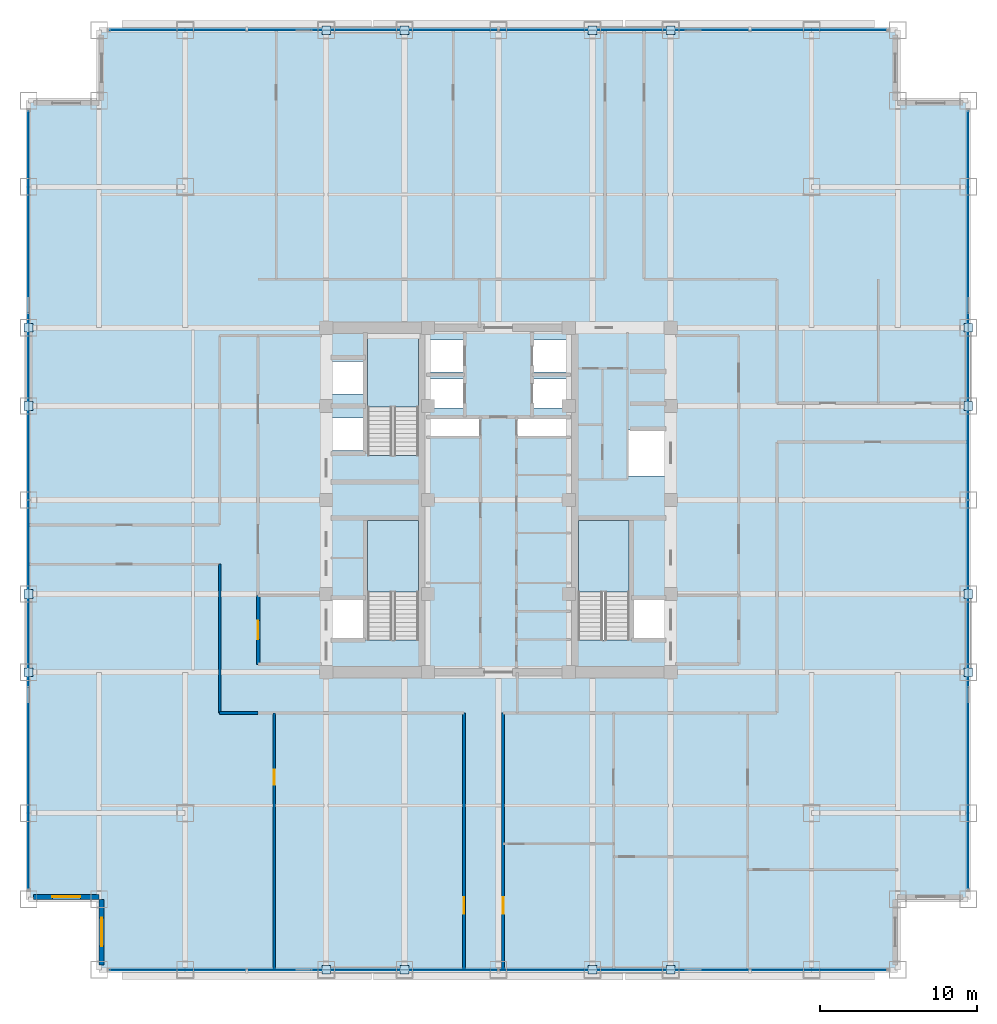
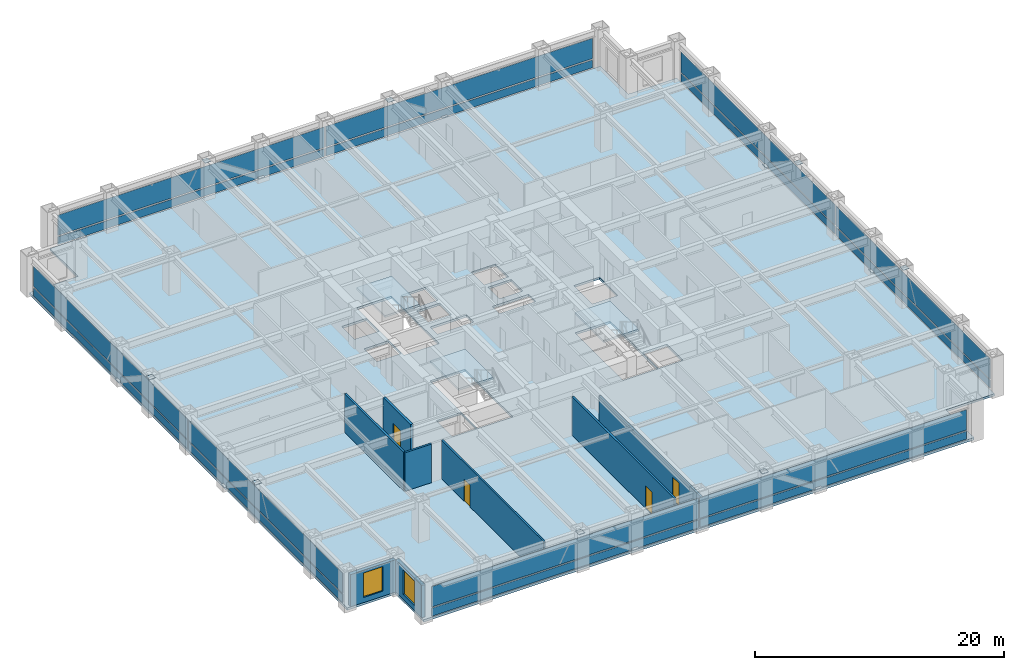
# One storey, part 19 of 28: 32 plates, 8 walls, 4 doors, 4 slabs, 2 windows, 6 openings, 7 elements without a shape of their own.
"""IFC4 building model written with IfcOpenShell, lengths in metres."""

from ifc_helpers import new_model, si_unit, direction, frame, frame_2d, origin, origin_2d, place, context, subcontext, project, spatial, polyline, rectangle, outline, extrude, source, transform, mapped, material, layer, layer_set, type_object, element, fill, aggregate, save


model = new_model("IFC4")

# Units and contexts
model_context = context("Model", 3, precision=1e-05, world=origin(), true_north=direction((0.0, 1.0)))
body_context = subcontext(model_context, "Body", "Model", "MODEL_VIEW")
ifc_project = project(units=[si_unit("LENGTHUNIT", "METRE"), si_unit("AREAUNIT", "SQUARE_METRE"), si_unit("VOLUMEUNIT", "CUBIC_METRE"), si_unit("PLANEANGLEUNIT", "RADIAN"), si_unit("MASSUNIT", "GRAM", prefix="KILO")], contexts=[model_context])

# Site, building, storey
site_placement = place(None, origin())
site = spatial("IfcSite", under=ifc_project, at=site_placement, CompositionType="ELEMENT")
building_placement = place(site_placement, origin())
building = spatial("IfcBuilding", under=site, at=building_placement, Name="Khorayat Bourse Tower", CompositionType="ELEMENT")
storey_placement = place(building_placement, frame((0.0, 0.0, 187.10009765625)))
storey = spatial("IfcBuildingStorey", under=building, at=storey_placement, Name="L43", CompositionType="ELEMENT", Elevation=187.10009765625)

# Stair, slab
ifc_material_1 = material(Name="Concrete C40/50", Category="concrete")
stair_type = type_object("IfcStairType", Name="STR-CORE-1550", PredefinedType="HALF_TURN_STAIR", material=ifc_material_1)
stair_1_placement = place(storey_placement, origin())
stair_1 = element("IfcStair", 1, at=stair_1_placement, inside=storey, type_object=stair_type, Name="L43 Exit Stair ST-1", PredefinedType="HALF_TURN_STAIR")
ifc_layer_1 = layer(ifc_material_1, 0.199951171875)
ifc_layer_set_1 = layer_set([ifc_layer_1], Name="Concrete C40/50")
slab_type_1 = type_object("IfcSlabType", Name="SLB-LANDING-200", PredefinedType="LANDING", material=ifc_layer_set_1)
slab_1_placement = place(storey_placement, frame((0.0, 0.0, 1.7998046875)))
slab_1 = element("IfcSlab", 2, at=slab_1_placement, type_object=slab_type_1, Name="ST-1 landing 1", PredefinedType="LANDING", context=body_context, shape_type="SweptSolid", body=[
    extrude(outline(polyline([(-5.10009765625, -5.8701171875), (-5.10009765625, -1.300048828125), (-8.35009765625, -1.300048828125), (-8.35009765625, -5.8701171875), (-5.10009765625, -5.8701171875)])), origin(), (0.0, 0.0, 1.0), 0.2001953125),
])
aggregate(stair_1, [slab_1])

stair_2_placement = place(storey_placement, origin())
stair_2 = element("IfcStair", 3, at=stair_2_placement, inside=storey, type_object=stair_type, Name="L43 Exit Stair ST-2", PredefinedType="HALF_TURN_STAIR")
slab_2_placement = place(storey_placement, frame((0.0, 0.0, 1.7998046875)))
slab_2 = element("IfcSlab", 4, at=slab_2_placement, type_object=slab_type_1, Name="ST-2 landing 1", PredefinedType="LANDING", context=body_context, shape_type="SweptSolid", body=[
    extrude(outline(polyline([(-5.10009765625, 5.929931640625), (-5.10009765625, 10.5), (-8.35009765625, 10.5), (-8.35009765625, 5.929931640625), (-5.10009765625, 5.929931640625)])), origin(), (0.0, 0.0, 1.0), 0.2001953125),
])
aggregate(stair_2, [slab_2])

stair_3_placement = place(storey_placement, origin())
stair_3 = element("IfcStair", 5, at=stair_3_placement, inside=storey, type_object=stair_type, Name="L43 Exit Stair ST-3", PredefinedType="HALF_TURN_STAIR")
slab_3_placement = place(storey_placement, frame((0.0, 0.0, 1.7998046875)))
slab_3 = element("IfcSlab", 6, at=slab_3_placement, type_object=slab_type_1, Name="ST-3 landing 1", PredefinedType="LANDING", context=body_context, shape_type="SweptSolid", body=[
    extrude(outline(polyline([(8.35009765625, -5.8701171875), (8.35009765625, -1.300048828125), (5.10009765625, -1.300048828125), (5.10009765625, -5.8701171875), (8.35009765625, -5.8701171875)])), origin(), (0.0, 0.0, 1.0), 0.2001953125),
])
aggregate(stair_3, [slab_3])

# Slab
ifc_layer_2 = layer(ifc_material_1, 0.219970703125)
ifc_layer_set_2 = layer_set([ifc_layer_2], Name="Concrete C40/50")
slab_type_2 = type_object("IfcSlabType", Name="SLB-OFFICE-220", PredefinedType="FLOOR", material=ifc_layer_set_2)
slab_4_placement = place(storey_placement, frame((0.0, 0.0, -0.22021484375)))
element("IfcSlab", 7, at=slab_4_placement, inside=storey, type_object=slab_type_2, Name="L43 Main Floor Slab", PredefinedType="FLOOR", context=body_context, shape_type="SweptSolid", body=[
    extrude(outline(polyline([(-25.5, -30.0), (25.5, -30.0), (25.5, -25.5), (30.0, -25.5), (30.0, 25.5), (25.5, 25.5), (25.5, 30.0), (-25.5, 30.0), (-25.5, 25.5), (-30.0, 25.5), (-30.0, -25.5), (-25.5, -25.5), (-25.5, -30.0)]), holes=[polyline([(-8.35009765625, -8.945068359375), (-5.10009765625, -8.945068359375), (-5.10009765625, -1.300048828125), (-8.35009765625, -1.300048828125), (-8.35009765625, -8.945068359375)]), polyline([(-8.35009765625, 2.85498046875), (-5.10009765625, 2.85498046875), (-5.10009765625, 10.5), (-8.35009765625, 10.5), (-8.35009765625, 2.85498046875)]), polyline([(5.10009765625, -8.945068359375), (8.35009765625, -8.945068359375), (8.35009765625, -1.300048828125), (5.10009765625, -1.300048828125), (5.10009765625, -8.945068359375)]), polyline([(-4.3798828125, 8.169921875), (-2.1201171875, 8.169921875), (-2.1201171875, 10.22998046875), (-4.3798828125, 10.22998046875), (-4.3798828125, 8.169921875)]), polyline([(2.1201171875, 8.169921875), (4.3798828125, 8.169921875), (4.3798828125, 10.22998046875), (2.1201171875, 10.22998046875), (2.1201171875, 8.169921875)]), polyline([(-4.3798828125, 5.8701171875), (-2.219970703125, 5.8701171875), (-2.219970703125, 7.72998046875), (-4.3798828125, 7.72998046875), (-4.3798828125, 5.8701171875)]), polyline([(2.219970703125, 5.8701171875), (4.3798828125, 5.8701171875), (4.3798828125, 7.72998046875), (2.219970703125, 7.72998046875), (2.219970703125, 5.8701171875)]), polyline([(-10.679931640625, 3.169921875), (-8.419921875, 3.169921875), (-8.419921875, 5.22998046875), (-10.679931640625, 5.22998046875), (-10.679931640625, 3.169921875)]), polyline([(-10.679931640625, 6.77001953125), (-8.419921875, 6.77001953125), (-8.419921875, 8.830078125), (-10.679931640625, 8.830078125), (-10.679931640625, 6.77001953125)]), polyline([(-10.679931640625, -8.929931640625), (-8.419921875, -8.929931640625), (-8.419921875, -6.3701171875), (-10.679931640625, -6.3701171875), (-10.679931640625, -8.929931640625)]), polyline([(8.419921875, -8.929931640625), (10.679931640625, -8.929931640625), (10.679931640625, -6.3701171875), (8.419921875, -6.3701171875), (8.419921875, -8.929931640625)]), polyline([(8.320068359375, 1.52001953125), (10.679931640625, 1.52001953125), (10.679931640625, 4.47998046875), (8.320068359375, 4.47998046875), (8.320068359375, 1.52001953125)]), polyline([(-4.56005859375, 4.080078125), (-1.18994140625, 4.080078125), (-1.18994140625, 5.219970703125), (-4.56005859375, 5.219970703125), (-4.56005859375, 4.080078125)]), polyline([(1.18994140625, 4.080078125), (4.56005859375, 4.080078125), (4.56005859375, 5.219970703125), (1.18994140625, 5.219970703125), (1.18994140625, 4.080078125)])]), origin(), (0.0, 0.0, 1.0), 0.22021484375),
])

# Plates
ifc_material_2 = material(Name="Steel EN 10025-2 S355J2", Category="steel")
ifc_layer_3 = layer(ifc_material_2, 0.02490234375)
ifc_layer_set_3 = layer_set([ifc_layer_3], Name="Steel EN 10025-2 S355J2")
plate_type_1 = type_object("IfcPlateType", Name="PLT-ENDCAP-25", PredefinedType="SHEET", material=ifc_layer_set_3)
shared_shape_1 = source(origin(), body_context, "Body", "SweptSolid", [
    extrude(rectangle(XDim=0.56005859375, YDim=0.56005859375, at=origin_2d()), origin(), (0.0, 0.0, 1.0), 0.02490234375),
])
for number, where, z_axis, x_axis, name in (
    (8, (-11.0, -30.0, 3.517333984375), (0.0, 0.0, 1.0), (1.0, 0.0, 0.0), "L43 Perimeter Brace End Plate 001"),
    (9, (-6.0, -30.0, 0.237548828125), (0.0, 0.0, 1.0), (1.0, 0.0, 0.0), "L43 Perimeter Brace End Plate 002"),
    (10, (6.0, -30.0, 3.517333984375), (0.0, 0.0, 1.0), (1.0, 0.0, 0.0), "L43 Perimeter Brace End Plate 003"),
    (11, (11.0, -30.0, 0.237548828125), (0.0, 0.0, 1.0), (1.0, 0.0, 0.0), "L43 Perimeter Brace End Plate 004"),
    (12, (-11.0, 30.0, 3.517333984375), (0.0, 0.0, 1.0), (1.0, 0.0, 0.0), "L43 Perimeter Brace End Plate 005"),
    (13, (-6.0, 30.0, 0.237548828125), (0.0, 0.0, 1.0), (1.0, 0.0, 0.0), "L43 Perimeter Brace End Plate 006"),
    (14, (6.0, 30.0, 3.517333984375), (0.0, 0.0, 1.0), (1.0, 0.0, 0.0), "L43 Perimeter Brace End Plate 007"),
    (15, (11.0, 30.0, 0.237548828125), (0.0, 0.0, 1.0), (1.0, 0.0, 0.0), "L43 Perimeter Brace End Plate 008"),
    (16, (-30.0, -11.0, 3.517333984375), (0.0, 0.0, 1.0), (1.0, 0.0, 0.0), "L43 Perimeter Brace End Plate 009"),
    (17, (-30.0, -6.0, 0.237548828125), (0.0, 0.0, 1.0), (1.0, 0.0, 0.0), "L43 Perimeter Brace End Plate 010"),
    (18, (-30.0, 6.0, 3.517333984375), (0.0, 0.0, 1.0), (1.0, 0.0, 0.0), "L43 Perimeter Brace End Plate 011"),
    (19, (-30.0, 11.0, 0.237548828125), (0.0, 0.0, 1.0), (1.0, 0.0, 0.0), "L43 Perimeter Brace End Plate 012"),
    (20, (30.0, -11.0, 3.517333984375), (0.0, 0.0, 1.0), (1.0, 0.0, 0.0), "L43 Perimeter Brace End Plate 013"),
    (21, (30.0, -6.0, 0.237548828125), (0.0, 0.0, 1.0), (1.0, 0.0, 0.0), "L43 Perimeter Brace End Plate 014"),
    (22, (30.0, 6.0, 3.517333984375), (0.0, 0.0, 1.0), (1.0, 0.0, 0.0), "L43 Perimeter Brace End Plate 015"),
    (23, (30.0, 11.0, 0.237548828125), (0.0, 0.0, 1.0), (1.0, 0.0, 0.0), "L43 Perimeter Brace End Plate 016"),
):
    element("IfcPlate", number, at=place(storey_placement, frame(where, z_axis=z_axis, x_axis=x_axis)), inside=storey, type_object=plate_type_1, Name=name, PredefinedType="SHEET", context=body_context, shape_type="MappedRepresentation", body=[
        mapped(shared_shape_1, transform((0.0, 0.0, 0.0), scale=1.0)),
    ])

# Curtain wall, plates
ifc_material_3 = material(Name="Aluminium EN AW-6063 T6", Category="aluminium")
curtain_wall_type = type_object("IfcCurtainWallType", Name="CW-SYS-03", PredefinedType="NOTDEFINED", material=ifc_material_3)
curtain_wall_1_placement = place(storey_placement, origin())
curtain_wall_1 = element("IfcCurtainWall", 24, at=curtain_wall_1_placement, inside=storey, type_object=curtain_wall_type, Name="L43 Curtain Wall CW-L43-S1", PredefinedType="NOTDEFINED")
ifc_material_4 = material(Name="Honed desert limestone insulated spandrel", Category="masonry")
ifc_layer_4 = layer(ifc_material_4, 0.06494140625)
ifc_layer_set_4 = layer_set([ifc_layer_4], Name="Honed desert limestone insulated spandrel")
plate_type_2 = type_object("IfcPlateType", Name="CWP-SPAND-03", PredefinedType="CURTAIN_PANEL", material=ifc_layer_set_4)
shared_shape_2 = source(origin(), body_context, "Body", "SweptSolid", [
    extrude(rectangle(XDim=24.719970703125, YDim=0.06494140625, at=origin_2d()), origin(), (0.0, 0.0, 1.0), 0.77001953125),
])
plate_1_placement = place(storey_placement, frame((-12.419921875, -30.0, 0.119873046875), z_axis=(0.0, 0.0, 1.0), x_axis=(1.0, 0.0, 0.0)))
plate_1 = element("IfcPlate", 25, at=plate_1_placement, type_object=plate_type_2, Name="CW-L43-S1 Spandrel Panel 1-1", PredefinedType="CURTAIN_PANEL", context=body_context, shape_type="MappedRepresentation", body=[
    mapped(shared_shape_2, transform((0.0, 0.0, 0.0), scale=1.0)),
])
plate_2_placement = place(storey_placement, frame((12.419921875, -30.0, 0.119873046875), z_axis=(0.0, 0.0, 1.0), x_axis=(1.0, 0.0, 0.0)))
plate_2 = element("IfcPlate", 26, at=plate_2_placement, type_object=plate_type_2, Name="CW-L43-S1 Spandrel Panel 2-1", PredefinedType="CURTAIN_PANEL", context=body_context, shape_type="MappedRepresentation", body=[
    mapped(shared_shape_2, transform((0.0, 0.0, 0.0), scale=1.0)),
])

curtain_wall_2_placement = place(storey_placement, origin())
curtain_wall_2 = element("IfcCurtainWall", 27, at=curtain_wall_2_placement, inside=storey, type_object=curtain_wall_type, Name="L43 Curtain Wall CW-L43-N1", PredefinedType="NOTDEFINED")
plate_3_placement = place(storey_placement, frame((-12.419921875, 30.0, 0.119873046875), z_axis=(0.0, 0.0, 1.0), x_axis=(1.0, 0.0, 0.0)))
plate_3 = element("IfcPlate", 28, at=plate_3_placement, type_object=plate_type_2, Name="CW-L43-N1 Spandrel Panel 1-1", PredefinedType="CURTAIN_PANEL", context=body_context, shape_type="MappedRepresentation", body=[
    mapped(shared_shape_2, transform((0.0, 0.0, 0.0), scale=1.0)),
])
plate_4_placement = place(storey_placement, frame((12.419921875, 30.0, 0.119873046875), z_axis=(0.0, 0.0, 1.0), x_axis=(1.0, 0.0, 0.0)))
plate_4 = element("IfcPlate", 29, at=plate_4_placement, type_object=plate_type_2, Name="CW-L43-N1 Spandrel Panel 2-1", PredefinedType="CURTAIN_PANEL", context=body_context, shape_type="MappedRepresentation", body=[
    mapped(shared_shape_2, transform((0.0, 0.0, 0.0), scale=1.0)),
])

curtain_wall_3_placement = place(storey_placement, origin())
curtain_wall_3 = element("IfcCurtainWall", 30, at=curtain_wall_3_placement, inside=storey, type_object=curtain_wall_type, Name="L43 Curtain Wall CW-L43-W1", PredefinedType="NOTDEFINED")
plate_5_placement = place(storey_placement, frame((-30.0, -12.419921875, 0.119873046875), z_axis=(0.0, 0.0, 1.0), x_axis=(0.0, 1.0, 0.0)))
plate_5 = element("IfcPlate", 31, at=plate_5_placement, type_object=plate_type_2, Name="CW-L43-W1 Spandrel Panel 1-1", PredefinedType="CURTAIN_PANEL", context=body_context, shape_type="MappedRepresentation", body=[
    mapped(shared_shape_2, transform((0.0, 0.0, 0.0), scale=1.0)),
])
plate_6_placement = place(storey_placement, frame((-30.0, 12.419921875, 0.119873046875), z_axis=(0.0, 0.0, 1.0), x_axis=(0.0, 1.0, 0.0)))
plate_6 = element("IfcPlate", 32, at=plate_6_placement, type_object=plate_type_2, Name="CW-L43-W1 Spandrel Panel 2-1", PredefinedType="CURTAIN_PANEL", context=body_context, shape_type="MappedRepresentation", body=[
    mapped(shared_shape_2, transform((0.0, 0.0, 0.0), scale=1.0)),
])

curtain_wall_4_placement = place(storey_placement, origin())
curtain_wall_4 = element("IfcCurtainWall", 33, at=curtain_wall_4_placement, inside=storey, type_object=curtain_wall_type, Name="L43 Curtain Wall CW-L43-E1", PredefinedType="NOTDEFINED")
plate_7_placement = place(storey_placement, frame((30.0, -12.419921875, 0.119873046875), z_axis=(0.0, 0.0, 1.0), x_axis=(0.0, 1.0, 0.0)))
plate_7 = element("IfcPlate", 34, at=plate_7_placement, type_object=plate_type_2, Name="CW-L43-E1 Spandrel Panel 1-1", PredefinedType="CURTAIN_PANEL", context=body_context, shape_type="MappedRepresentation", body=[
    mapped(shared_shape_2, transform((0.0, 0.0, 0.0), scale=1.0)),
])
plate_8_placement = place(storey_placement, frame((30.0, 12.419921875, 0.119873046875), z_axis=(0.0, 0.0, 1.0), x_axis=(0.0, 1.0, 0.0)))
plate_8 = element("IfcPlate", 35, at=plate_8_placement, type_object=plate_type_2, Name="CW-L43-E1 Spandrel Panel 2-1", PredefinedType="CURTAIN_PANEL", context=body_context, shape_type="MappedRepresentation", body=[
    mapped(shared_shape_2, transform((0.0, 0.0, 0.0), scale=1.0)),
])

# Plate
ifc_material_5 = material(Name="Low-E solar-control laminated double glazing", Category="glass")
ifc_layer_5 = layer(ifc_material_5, 0.035888671875)
ifc_layer_set_5 = layer_set([ifc_layer_5], Name="Low-E solar-control laminated double glazing")
plate_type_3 = type_object("IfcPlateType", Name="CWP-VIS-01", PredefinedType="CURTAIN_PANEL", material=ifc_layer_set_5)
shared_shape_3 = source(origin(), body_context, "Body", "SweptSolid", [
    extrude(rectangle(XDim=24.719970703125, YDim=0.035888671875, at=origin_2d()), origin(), (0.0, 0.0, 1.0), 2.0),
])
plate_9_placement = place(storey_placement, frame((-12.419921875, -30.0, 1.010009765625), z_axis=(0.0, 0.0, 1.0), x_axis=(1.0, 0.0, 0.0)))
plate_9 = element("IfcPlate", 36, at=plate_9_placement, type_object=plate_type_3, Name="CW-L43-S1 Vision Panel 1-2", PredefinedType="CURTAIN_PANEL", context=body_context, shape_type="MappedRepresentation", body=[
    mapped(shared_shape_3, transform((0.0, 0.0, 0.0), scale=1.0)),
])

plate_10_placement = place(storey_placement, frame((12.419921875, -30.0, 1.010009765625), z_axis=(0.0, 0.0, 1.0), x_axis=(1.0, 0.0, 0.0)))
plate_10 = element("IfcPlate", 37, at=plate_10_placement, type_object=plate_type_3, Name="CW-L43-S1 Vision Panel 2-2", PredefinedType="CURTAIN_PANEL", context=body_context, shape_type="MappedRepresentation", body=[
    mapped(shared_shape_3, transform((0.0, 0.0, 0.0), scale=1.0)),
])

aggregate(curtain_wall_1, [plate_1, plate_9, plate_2, plate_10])

plate_11_placement = place(storey_placement, frame((-12.419921875, 30.0, 1.010009765625), z_axis=(0.0, 0.0, 1.0), x_axis=(1.0, 0.0, 0.0)))
plate_11 = element("IfcPlate", 38, at=plate_11_placement, type_object=plate_type_3, Name="CW-L43-N1 Vision Panel 1-2", PredefinedType="CURTAIN_PANEL", context=body_context, shape_type="MappedRepresentation", body=[
    mapped(shared_shape_3, transform((0.0, 0.0, 0.0), scale=1.0)),
])

plate_12_placement = place(storey_placement, frame((12.419921875, 30.0, 1.010009765625), z_axis=(0.0, 0.0, 1.0), x_axis=(1.0, 0.0, 0.0)))
plate_12 = element("IfcPlate", 39, at=plate_12_placement, type_object=plate_type_3, Name="CW-L43-N1 Vision Panel 2-2", PredefinedType="CURTAIN_PANEL", context=body_context, shape_type="MappedRepresentation", body=[
    mapped(shared_shape_3, transform((0.0, 0.0, 0.0), scale=1.0)),
])

aggregate(curtain_wall_2, [plate_3, plate_11, plate_4, plate_12])

plate_13_placement = place(storey_placement, frame((-30.0, -12.419921875, 1.010009765625), z_axis=(0.0, 0.0, 1.0), x_axis=(0.0, 1.0, 0.0)))
plate_13 = element("IfcPlate", 40, at=plate_13_placement, type_object=plate_type_3, Name="CW-L43-W1 Vision Panel 1-2", PredefinedType="CURTAIN_PANEL", context=body_context, shape_type="MappedRepresentation", body=[
    mapped(shared_shape_3, transform((0.0, 0.0, 0.0), scale=1.0)),
])

plate_14_placement = place(storey_placement, frame((-30.0, 12.419921875, 1.010009765625), z_axis=(0.0, 0.0, 1.0), x_axis=(0.0, 1.0, 0.0)))
plate_14 = element("IfcPlate", 41, at=plate_14_placement, type_object=plate_type_3, Name="CW-L43-W1 Vision Panel 2-2", PredefinedType="CURTAIN_PANEL", context=body_context, shape_type="MappedRepresentation", body=[
    mapped(shared_shape_3, transform((0.0, 0.0, 0.0), scale=1.0)),
])

aggregate(curtain_wall_3, [plate_5, plate_13, plate_6, plate_14])

plate_15_placement = place(storey_placement, frame((30.0, -12.419921875, 1.010009765625), z_axis=(0.0, 0.0, 1.0), x_axis=(0.0, 1.0, 0.0)))
plate_15 = element("IfcPlate", 42, at=plate_15_placement, type_object=plate_type_3, Name="CW-L43-E1 Vision Panel 1-2", PredefinedType="CURTAIN_PANEL", context=body_context, shape_type="MappedRepresentation", body=[
    mapped(shared_shape_3, transform((0.0, 0.0, 0.0), scale=1.0)),
])

plate_16_placement = place(storey_placement, frame((30.0, 12.419921875, 1.010009765625), z_axis=(0.0, 0.0, 1.0), x_axis=(0.0, 1.0, 0.0)))
plate_16 = element("IfcPlate", 43, at=plate_16_placement, type_object=plate_type_3, Name="CW-L43-E1 Vision Panel 2-2", PredefinedType="CURTAIN_PANEL", context=body_context, shape_type="MappedRepresentation", body=[
    mapped(shared_shape_3, transform((0.0, 0.0, 0.0), scale=1.0)),
])

aggregate(curtain_wall_4, [plate_7, plate_15, plate_8, plate_16])

# Wall, opening, window
ifc_material_6 = material(Name="Precast concrete C45/55", Category="concrete")
ifc_layer_6 = layer(ifc_material_6, 0.320068359375)
ifc_layer_set_6 = layer_set([ifc_layer_6], Name="Precast concrete C45/55")
wall_type_1 = type_object("IfcWallType", Name="WAL-EXT-STONE-320", PredefinedType="STANDARD", material=ifc_layer_set_6)
shared_shape_4 = source(origin(), body_context, "Body", "SweptSolid", [
    extrude(rectangle(XDim=4.179931640625, YDim=0.320068359375, at=frame_2d((2.08984375, 0.0))), origin(), (0.0, 0.0, 1.0), 3.163818359375),
])
wall_1_placement = place(storey_placement, frame((-25.5, -25.340087890625, 0.0), z_axis=(0.0, 0.0, 1.0), x_axis=(-1.0, 0.0, 0.0)))
wall_1 = element("IfcWall", 44, at=wall_1_placement, inside=storey, type_object=wall_type_1, Name="L43 Re-Entrant Notch Limestone Wall SW-H", PredefinedType="STANDARD", context=body_context, shape_type="MappedRepresentation", body=[
    mapped(shared_shape_4, transform((0.0, 0.0, 0.0), scale=1.0)),
])
shared_shape_5 = source(origin(), body_context, "Body", "SweptSolid", [
    extrude(rectangle(XDim=1.800048828125, YDim=2.39990234375, at=frame_2d((0.89990234375, 1.199951171875))), frame((0.0, 0.169921875, 0.0), z_axis=(0.0, -1.0, 0.0), x_axis=(1.0, 0.0, 0.0)), (0.0, 0.0, 1.0), 0.340087890625),
])
opening_1_placement = place(wall_1_placement, frame((1.18994140625, 0.0, 0.5)))
opening_1 = element("IfcOpeningElement", 45, at=opening_1_placement, cuts=wall_1, Name="Opening WN-04", PredefinedType="OPENING", context=body_context, shape_type="MappedRepresentation", body=[
    mapped(shared_shape_5, transform((0.0, 0.0, 0.0), scale=1.0)),
])
ifc_material_7 = material(Name="Low-E acoustic laminated double glazing", Category="glass")
window_type = type_object("IfcWindowType", Name="WIN-NOTCH-1800x2400", PartitioningType="SINGLE_PANEL", PredefinedType="WINDOW", material=ifc_material_7)
shared_shape_6 = source(origin(), body_context, "Body", "SweptSolid", [
    extrude(rectangle(XDim=1.800048828125, YDim=2.39990234375, at=frame_2d((0.89990234375, 1.199951171875))), frame((0.0, 0.030029296875, 0.0), z_axis=(0.0, -1.0, 0.0), x_axis=(1.0, 0.0, 0.0)), (0.0, 0.0, 1.0), 0.06005859375),
])
window_1_placement = place(opening_1_placement, origin())
window_1 = element("IfcWindow", 46, at=window_1_placement, inside=storey, type_object=window_type, Name="L43 Facade Window 1", OverallHeight=2.39990234375, OverallWidth=1.800048828125, PartitioningType="SINGLE_PANEL", PredefinedType="WINDOW", context=body_context, shape_type="MappedRepresentation", body=[
    mapped(shared_shape_6, transform((0.0, 0.0, 0.0), scale=1.0)),
])
fill(opening_1, window_1)

wall_2_placement = place(storey_placement, frame((-25.340087890625, -29.679931640625, 0.0), z_axis=(0.0, 0.0, 1.0), x_axis=(0.0, 1.0, 0.0)))
wall_2 = element("IfcWall", 47, at=wall_2_placement, inside=storey, type_object=wall_type_1, Name="L43 Re-Entrant Notch Limestone Wall SW-V", PredefinedType="STANDARD", context=body_context, shape_type="MappedRepresentation", body=[
    mapped(shared_shape_4, transform((0.0, 0.0, 0.0), scale=1.0)),
])
opening_2_placement = place(wall_2_placement, frame((1.18994140625, 0.0, 0.5)))
opening_2 = element("IfcOpeningElement", 48, at=opening_2_placement, cuts=wall_2, Name="Opening WN-04", PredefinedType="OPENING", context=body_context, shape_type="MappedRepresentation", body=[
    mapped(shared_shape_5, transform((0.0, 0.0, 0.0), scale=1.0)),
])
window_2_placement = place(opening_2_placement, origin())
window_2 = element("IfcWindow", 49, at=window_2_placement, inside=storey, type_object=window_type, Name="L43 Facade Window 1", OverallHeight=2.39990234375, OverallWidth=1.800048828125, PartitioningType="SINGLE_PANEL", PredefinedType="WINDOW", context=body_context, shape_type="MappedRepresentation", body=[
    mapped(shared_shape_6, transform((0.0, 0.0, 0.0), scale=1.0)),
])
fill(opening_2, window_2)

# Wall, opening, door
ifc_material_8 = material(Name="Aerated concrete blockwork", Category="masonry")
ifc_layer_7 = layer(ifc_material_8, 0.219970703125)
ifc_layer_set_7 = layer_set([ifc_layer_7], Name="Aerated concrete blockwork")
wall_type_2 = type_object("IfcWallType", Name="WAL-PART-FF-220", PredefinedType="PARTITIONING", material=ifc_layer_set_7)
shared_shape_7 = source(origin(), body_context, "Body", "SweptSolid", [
    extrude(rectangle(XDim=4.39990234375, YDim=0.219970703125, at=frame_2d((2.199951171875, 0.0))), origin(), (0.0, 0.0, 1.0), 3.77978515625),
])
wall_3_placement = place(storey_placement, frame((-15.35009765625, -10.5, 0.0), z_axis=(0.0, 0.0, 1.0), x_axis=(0.0, 1.0, 0.0)))
wall_3 = element("IfcWall", 50, at=wall_3_placement, inside=storey, type_object=wall_type_2, Name="L43 Partition WAL-L43-FFLW-W", PredefinedType="PARTITIONING", context=body_context, shape_type="MappedRepresentation", body=[
    mapped(shared_shape_7, transform((0.0, 0.0, 0.0), scale=1.0)),
])
shared_shape_8 = source(origin(), body_context, "Body", "SweptSolid", [
    extrude(rectangle(XDim=1.199951171875, YDim=2.199951171875, at=frame_2d((0.60009765625, 1.10009765625))), frame((0.0, 0.119873046875, 0.0), z_axis=(0.0, -1.0, 0.0), x_axis=(1.0, 0.0, 0.0)), (0.0, 0.0, 1.0), 0.239990234375),
])
opening_3_placement = place(wall_3_placement, frame((1.60009765625, 0.0, 0.0)))
opening_3 = element("IfcOpeningElement", 51, at=opening_3_placement, cuts=wall_3, Name="Opening DI-02", PredefinedType="OPENING", context=body_context, shape_type="MappedRepresentation", body=[
    mapped(shared_shape_8, transform((0.0, 0.0, 0.0), scale=1.0)),
])
ifc_material_9 = material(Name="Fire-rated steel double-seal leaf", Category="steel")
door_type_1 = type_object("IfcDoorType", Name="DR-INT-FFLOBBY-1200", OperationType="NOTDEFINED", PredefinedType="DOOR", material=ifc_material_9)
shared_shape_9 = source(origin(), body_context, "Body", "SweptSolid", [
    extrude(rectangle(XDim=1.199951171875, YDim=2.199951171875, at=frame_2d((0.60009765625, 1.10009765625))), frame((0.0, 0.02490234375, 0.0), z_axis=(0.0, -1.0, 0.0), x_axis=(1.0, 0.0, 0.0)), (0.0, 0.0, 1.0), 0.050048828125),
])
door_1_placement = place(opening_3_placement, origin())
door_1 = element("IfcDoor", 52, at=door_1_placement, inside=storey, type_object=door_type_1, Name="L43 West Firefighting Lobby Door", OperationType="SINGLE_SWING_LEFT", OverallHeight=2.199951171875, OverallWidth=1.199951171875, PredefinedType="DOOR", context=body_context, shape_type="MappedRepresentation", body=[
    mapped(shared_shape_9, transform((0.0, 0.0, 0.0), scale=1.0)),
])
fill(opening_3, door_1)

# Wall
ifc_material_10 = material(Name="Gypsum plasterboard acoustic stud wall")
ifc_layer_8 = layer(ifc_material_10, 0.179931640625)
ifc_layer_set_8 = layer_set([ifc_layer_8], Name="Gypsum plasterboard acoustic stud wall")
wall_type_3 = type_object("IfcWallType", Name="WAL-PART-CORR-180", PredefinedType="PARTITIONING", material=ifc_layer_set_8)
shared_shape_10 = source(origin(), body_context, "Body", "SweptSolid", [
    extrude(rectangle(XDim=2.449951171875, YDim=0.179931640625, at=frame_2d((1.22509765625, 0.0))), origin(), (0.0, 0.0, 1.0), 3.77978515625),
])
wall_4_placement = place(storey_placement, frame((-17.800048828125, -13.60009765625, 0.0), z_axis=(0.0, 0.0, 1.0), x_axis=(1.0, 0.0, 0.0)))
element("IfcWall", 53, at=wall_4_placement, inside=storey, type_object=wall_type_3, Name="L43 Partition WAL-L43-C2-WS", PredefinedType="PARTITIONING", context=body_context, shape_type="MappedRepresentation", body=[
    mapped(shared_shape_10, transform((0.0, 0.0, 0.0), scale=1.0)),
])

# Wall, opening, door
shared_shape_11 = source(origin(), body_context, "Body", "SweptSolid", [
    extrude(rectangle(XDim=16.39990234375, YDim=0.179931640625, at=frame_2d((8.199951171875, 0.0))), origin(), (0.0, 0.0, 1.0), 3.0068359375),
])
wall_5_placement = place(storey_placement, frame((0.300048828125, -30.0, 0.0), z_axis=(0.0, 0.0, 1.0), x_axis=(0.0, 1.0, 0.0)))
wall_5 = element("IfcWall", 54, at=wall_5_placement, inside=storey, type_object=wall_type_3, Name="L43 Partition WAL-L43-QSE-SPK", PredefinedType="PARTITIONING", context=body_context, shape_type="MappedRepresentation", body=[
    mapped(shared_shape_11, transform((0.0, 0.0, 0.0), scale=1.0)),
])
shared_shape_12 = source(origin(), body_context, "Body", "SweptSolid", [
    extrude(rectangle(XDim=1.050048828125, YDim=2.199951171875, at=frame_2d((0.52490234375, 1.10009765625))), frame((0.0, 0.099853515625, 0.0), z_axis=(0.0, -1.0, 0.0), x_axis=(1.0, 0.0, 0.0)), (0.0, 0.0, 1.0), 0.199951171875),
])
opening_4_placement = place(wall_5_placement, frame((3.574951171875, 0.0, 0.0)))
opening_4 = element("IfcOpeningElement", 55, at=opening_4_placement, cuts=wall_5, Name="Opening DI-04", PredefinedType="OPENING", context=body_context, shape_type="MappedRepresentation", body=[
    mapped(shared_shape_12, transform((0.0, 0.0, 0.0), scale=1.0)),
])
ifc_material_11 = material(Name="Fire-rated oak veneer suite entrance door")
door_type_2 = type_object("IfcDoorType", Name="DR-INT-SUITE-1050", OperationType="NOTDEFINED", PredefinedType="DOOR", material=ifc_material_11)
shared_shape_13 = source(origin(), body_context, "Body", "SweptSolid", [
    extrude(rectangle(XDim=1.050048828125, YDim=2.199951171875, at=frame_2d((0.52490234375, 1.10009765625))), frame((0.0, 0.02490234375, 0.0), z_axis=(0.0, -1.0, 0.0), x_axis=(1.0, 0.0, 0.0)), (0.0, 0.0, 1.0), 0.050048828125),
])
door_2_placement = place(opening_4_placement, origin())
door_2 = element("IfcDoor", 56, at=door_2_placement, inside=storey, type_object=door_type_2, Name="L43 South-East Radial Spoke Entry", OperationType="SINGLE_SWING_LEFT", OverallHeight=2.199951171875, OverallWidth=1.050048828125, PredefinedType="DOOR", context=body_context, shape_type="MappedRepresentation", body=[
    mapped(shared_shape_13, transform((0.0, 0.0, 0.0), scale=1.0)),
])
fill(opening_4, door_2)

ifc_material_12 = material(Name="Gypsum plasterboard twin-frame partition")
ifc_layer_9 = layer(ifc_material_12, 0.14990234375)
ifc_layer_set_9 = layer_set([ifc_layer_9], Name="Gypsum plasterboard twin-frame partition")
wall_type_4 = type_object("IfcWallType", Name="WAL-PART-SUITE-150", PredefinedType="PARTITIONING", material=ifc_layer_set_9)
shared_shape_14 = source(origin(), body_context, "Body", "SweptSolid", [
    extrude(rectangle(XDim=16.39990234375, YDim=0.14990234375, at=frame_2d((8.199951171875, 0.0))), origin(), (0.0, 0.0, 1.0), 3.77978515625),
])
wall_6_placement = place(storey_placement, frame((-14.31591796875, -30.0, 0.0), z_axis=(0.0, 0.0, 1.0), x_axis=(0.0, 1.0, 0.0)))
wall_6 = element("IfcWall", 57, at=wall_6_placement, inside=storey, type_object=wall_type_4, Name="L43 Partition WAL-L43-QSWDV-1", PredefinedType="PARTITIONING", context=body_context, shape_type="MappedRepresentation", body=[
    mapped(shared_shape_14, transform((0.0, 0.0, 0.0), scale=1.0)),
])
shared_shape_15 = source(origin(), body_context, "Body", "SweptSolid", [
    extrude(rectangle(XDim=0.949951171875, YDim=2.14990234375, at=frame_2d((0.47509765625, 1.074951171875))), frame((0.0, 0.0849609375, 0.0), z_axis=(0.0, -1.0, 0.0), x_axis=(1.0, 0.0, 0.0)), (0.0, 0.0, 1.0), 0.169921875),
])
opening_5_placement = place(wall_6_placement, frame((11.824951171875, 0.0, 0.0)))
opening_5 = element("IfcOpeningElement", 58, at=opening_5_placement, cuts=wall_6, Name="Opening DI-05", PredefinedType="OPENING", context=body_context, shape_type="MappedRepresentation", body=[
    mapped(shared_shape_15, transform((0.0, 0.0, 0.0), scale=1.0)),
])
ifc_material_13 = material(Name="Acoustic oak veneer office door")
door_type_3 = type_object("IfcDoorType", Name="DR-INT-OFFICE-950", OperationType="NOTDEFINED", PredefinedType="DOOR", material=ifc_material_13)
shared_shape_16 = source(origin(), body_context, "Body", "SweptSolid", [
    extrude(rectangle(XDim=0.949951171875, YDim=2.14990234375, at=frame_2d((0.47509765625, 1.074951171875))), frame((0.0, 0.02490234375, 0.0), z_axis=(0.0, -1.0, 0.0), x_axis=(1.0, 0.0, 0.0)), (0.0, 0.0, 1.0), 0.050048828125),
])
door_3_placement = place(opening_5_placement, origin())
door_3 = element("IfcDoor", 59, at=door_3_placement, inside=storey, type_object=door_type_3, Name="L43 South-West Suite Link 1", OperationType="SINGLE_SWING_RIGHT", OverallHeight=2.14990234375, OverallWidth=0.949951171875, PredefinedType="DOOR", context=body_context, shape_type="MappedRepresentation", body=[
    mapped(shared_shape_16, transform((0.0, 0.0, 0.0), scale=1.0)),
])
fill(opening_5, door_3)

shared_shape_17 = source(origin(), body_context, "Body", "SweptSolid", [
    extrude(rectangle(XDim=16.39990234375, YDim=0.179931640625, at=frame_2d((8.199951171875, 0.0))), origin(), (0.0, 0.0, 1.0), 3.77978515625),
])
wall_7_placement = place(storey_placement, frame((-2.199951171875, -30.0, 0.0), z_axis=(0.0, 0.0, 1.0), x_axis=(0.0, 1.0, 0.0)))
wall_7 = element("IfcWall", 60, at=wall_7_placement, inside=storey, type_object=wall_type_3, Name="L43 Partition WAL-L43-QSW-SPK", PredefinedType="PARTITIONING", context=body_context, shape_type="MappedRepresentation", body=[
    mapped(shared_shape_17, transform((0.0, 0.0, 0.0), scale=1.0)),
])
opening_6_placement = place(wall_7_placement, frame((3.574951171875, 0.0, 0.0)))
opening_6 = element("IfcOpeningElement", 61, at=opening_6_placement, cuts=wall_7, Name="Opening DI-04", PredefinedType="OPENING", context=body_context, shape_type="MappedRepresentation", body=[
    mapped(shared_shape_12, transform((0.0, 0.0, 0.0), scale=1.0)),
])
door_4_placement = place(opening_6_placement, origin())
door_4 = element("IfcDoor", 62, at=door_4_placement, inside=storey, type_object=door_type_2, Name="L43 South-West Radial Spoke Entry", OperationType="SINGLE_SWING_LEFT", OverallHeight=2.199951171875, OverallWidth=1.050048828125, PredefinedType="DOOR", context=body_context, shape_type="MappedRepresentation", body=[
    mapped(shared_shape_13, transform((0.0, 0.0, 0.0), scale=1.0)),
])
fill(opening_6, door_4)

# Wall
shared_shape_18 = source(origin(), body_context, "Body", "SweptSolid", [
    extrude(rectangle(XDim=9.5, YDim=0.179931640625, at=frame_2d((4.75, 0.0))), origin(), (0.0, 0.0, 1.0), 3.77978515625),
])
wall_8_placement = place(storey_placement, frame((-17.800048828125, -13.60009765625, 0.0), z_axis=(0.0, 0.0, 1.0), x_axis=(0.0, 1.0, 0.0)))
element("IfcWall", 63, at=wall_8_placement, inside=storey, type_object=wall_type_3, Name="L43 Partition WAL-L43-WS-IN", PredefinedType="PARTITIONING", context=body_context, shape_type="MappedRepresentation", body=[
    mapped(shared_shape_18, transform((0.0, 0.0, 0.0), scale=1.0)),
])

save(model, "model.ifc")
